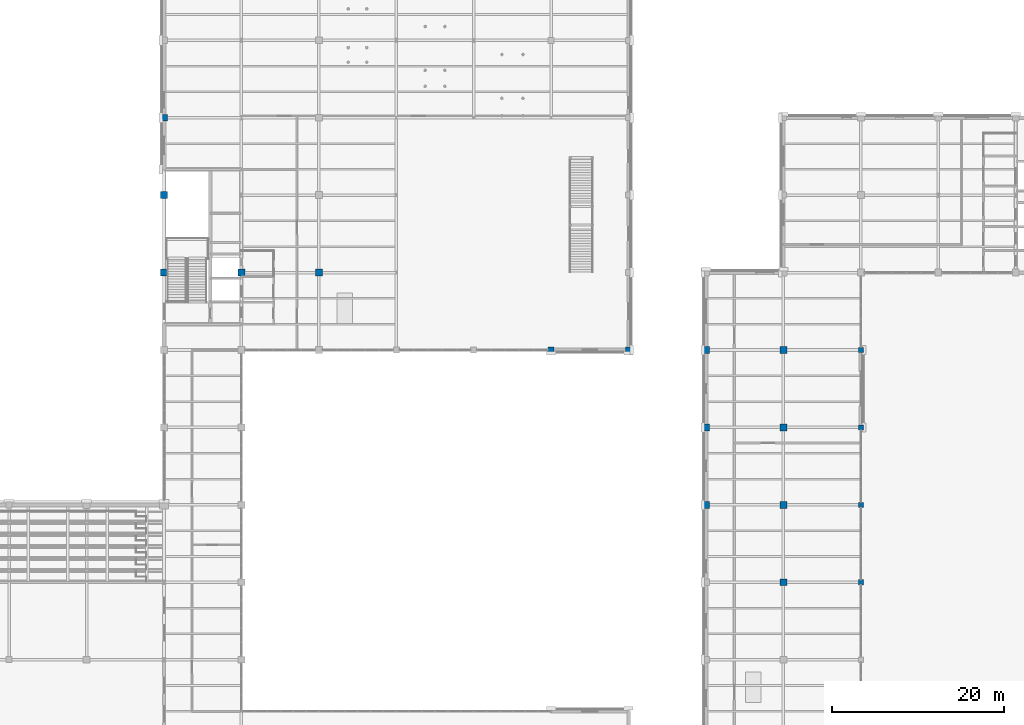
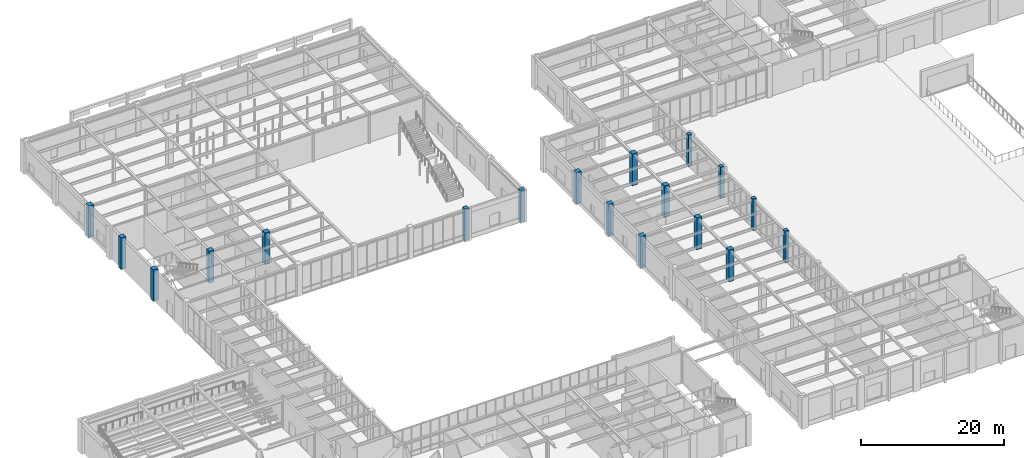
# One storey, part 6 of 77: 18 columns.
"""IFC4 building model written with IfcOpenShell, lengths in metres."""

from ifc_helpers import new_model, si_unit, direction, frame, origin, origin_2d, place, context, subcontext, project, spatial, rectangle, extrude, material, material_profile, profile_set, type_object, element, save


model = new_model("IFC4")

# Units and contexts
model_context = context("Model", 3, precision=1e-05, world=origin(), true_north=direction((0.0, 1.0)))
body_context = subcontext(model_context, "Body", "Model", "MODEL_VIEW")
ifc_project = project(units=[si_unit("LENGTHUNIT", "METRE"), si_unit("AREAUNIT", "SQUARE_METRE"), si_unit("VOLUMEUNIT", "CUBIC_METRE"), si_unit("PLANEANGLEUNIT", "RADIAN"), si_unit("MASSUNIT", "GRAM", prefix="KILO")], contexts=[model_context])

# Site, building, storey
site_placement = place(None, origin())
site = spatial("IfcSite", under=ifc_project, at=site_placement, CompositionType="ELEMENT")
building_placement = place(site_placement, origin())
building = spatial("IfcBuilding", under=site, at=building_placement, Name="Lykobir Media Centre", CompositionType="ELEMENT")
storey_placement = place(building_placement, origin())
storey = spatial("IfcBuildingStorey", under=building, at=storey_placement, Name="L00", CompositionType="ELEMENT", Elevation=0.0)

# Columns
ifc_material = material(Name="Concrete C40/50", Category="concrete")
ifc_material_profile_1 = material_profile(ifc_material, rectangle(XDim=0.60009765625, YDim=0.60009765625, at=origin_2d()), Name="RC 600x600")
ifc_profile_set_1 = profile_set([ifc_material_profile_1], Name="Concrete C40/50")
column_type_1 = type_object("IfcColumnType", Name="RC-C600", PredefinedType="COLUMN", material=ifc_profile_set_1)
for number, where, z_axis, x_axis, name in (
    (1, (108.0, 36.0, 0.0), (0.0, 0.0, 1.0), (1.0, 0.0, 0.0), "Column COL-L00-1080-0360"),
    (2, (108.0, 45.0, 0.0), (0.0, 0.0, 1.0), (1.0, 0.0, 0.0), "Column COL-L00-1080-0450"),
    (3, (108.0, 54.0, 0.0), (0.0, 0.0, 1.0), (1.0, 0.0, 0.0), "Column COL-L00-1080-0540"),
    (4, (108.0, 63.0, 0.0), (0.0, 0.0, 1.0), (1.0, 0.0, 0.0), "Column COL-L00-1080-0630"),
):
    element("IfcColumn", number, at=place(storey_placement, frame(where, z_axis=z_axis, x_axis=x_axis)), inside=storey, type_object=column_type_1, Name=name, PredefinedType="COLUMN", context=body_context, shape_type="SweptSolid", body=[
        extrude(rectangle(XDim=0.60009765625, YDim=0.60009765625, at=origin_2d()), origin(), (0.0, 0.0, 1.0), 5.39990234375),
    ])
ifc_material_profile_2 = material_profile(ifc_material, rectangle(XDim=0.699951171875, YDim=0.699951171875, at=origin_2d()), Name="RC 700x700")
ifc_profile_set_2 = profile_set([ifc_material_profile_2], Name="Concrete C40/50")
column_type_2 = type_object("IfcColumnType", Name="RC-C700", PredefinedType="COLUMN", material=ifc_profile_set_2)
column_1_placement = place(storey_placement, frame((72.0, 63.0, 0.0), z_axis=(0.0, 0.0, 1.0), x_axis=(1.0, 0.0, 0.0)))
element("IfcColumn", 5, at=column_1_placement, inside=storey, type_object=column_type_2, Name="Column COL-L00-0720-0630", PredefinedType="COLUMN", context=body_context, shape_type="SweptSolid", body=[
    extrude(rectangle(XDim=0.699951171875, YDim=0.699951171875, at=origin_2d()), origin(), (0.0, 0.0, 1.0), 5.39990234375),
])
ifc_material_profile_3 = material_profile(ifc_material, rectangle(XDim=0.699951171875, YDim=0.699951171875, at=origin_2d()), Name="RC 700x700")
ifc_profile_set_3 = profile_set([ifc_material_profile_3], Name="Concrete C40/50")
column_type_3 = type_object("IfcColumnType", Name="RC-C700-E", PredefinedType="COLUMN", material=ifc_profile_set_3)
column_2_placement = place(storey_placement, frame((81.0, 63.0, 0.0), z_axis=(0.0, 0.0, 1.0), x_axis=(1.0, 0.0, 0.0)))
element("IfcColumn", 6, at=column_2_placement, inside=storey, type_object=column_type_3, Name="Column COL-L00-0810-0630", PredefinedType="COLUMN", context=body_context, shape_type="SweptSolid", body=[
    extrude(rectangle(XDim=0.699951171875, YDim=0.699951171875, at=origin_2d()), origin(), (0.0, 0.0, 1.0), 5.39990234375),
])
ifc_material_profile_4 = material_profile(ifc_material, rectangle(XDim=0.800048828125, YDim=0.800048828125, at=origin_2d()), Name="RC 800x800")
ifc_profile_set_4 = profile_set([ifc_material_profile_4], Name="Concrete C40/50")
column_type_4 = type_object("IfcColumnType", Name="RC-C800", PredefinedType="COLUMN", material=ifc_profile_set_4)
for number, where, z_axis, x_axis, name in (
    (7, (27.0, 72.0, 0.0), (0.0, 0.0, 1.0), (1.0, 0.0, 0.0), "Column COL-L00-0270-0720"),
    (8, (27.0, 81.0, 0.0), (0.0, 0.0, 1.0), (1.0, 0.0, 0.0), "Column COL-L00-0270-0810"),
    (9, (27.0, 90.0, 0.0), (0.0, 0.0, 1.0), (1.0, 0.0, 0.0), "Column COL-L00-0270-0900"),
    (10, (36.0, 72.0, 0.0), (0.0, 0.0, 1.0), (1.0, 0.0, 0.0), "Column COL-L00-0360-0720"),
    (11, (45.0, 72.0, 0.0), (0.0, 0.0, 1.0), (1.0, 0.0, 0.0), "Column COL-L00-0450-0720"),
    (12, (99.0, 36.0, 0.0), (0.0, 0.0, 1.0), (1.0, 0.0, 0.0), "Column COL-L00-0990-0360"),
    (13, (99.0, 45.0, 0.0), (0.0, 0.0, 1.0), (1.0, 0.0, 0.0), "Column COL-L00-0990-0450"),
    (14, (99.0, 54.0, 0.0), (0.0, 0.0, 1.0), (1.0, 0.0, 0.0), "Column COL-L00-0990-0540"),
    (15, (99.0, 63.0, 0.0), (0.0, 0.0, 1.0), (1.0, 0.0, 0.0), "Column COL-L00-0990-0630"),
):
    element("IfcColumn", number, at=place(storey_placement, frame(where, z_axis=z_axis, x_axis=x_axis)), inside=storey, type_object=column_type_4, Name=name, PredefinedType="COLUMN", context=body_context, shape_type="SweptSolid", body=[
        extrude(rectangle(XDim=0.800048828125, YDim=0.800048828125, at=origin_2d()), origin(), (0.0, 0.0, 1.0), 5.39990234375),
    ])
ifc_material_profile_5 = material_profile(ifc_material, rectangle(XDim=0.800048828125, YDim=0.800048828125, at=origin_2d()), Name="RC 800x800")
ifc_profile_set_5 = profile_set([ifc_material_profile_5], Name="Concrete C40/50")
column_type_5 = type_object("IfcColumnType", Name="RC-C800-E", PredefinedType="COLUMN", material=ifc_profile_set_5)
for number, where, z_axis, x_axis, name in (
    (16, (90.0, 45.0, 0.0), (0.0, 0.0, 1.0), (1.0, 0.0, 0.0), "Column COL-L00-0900-0450"),
    (17, (90.0, 54.0, 0.0), (0.0, 0.0, 1.0), (1.0, 0.0, 0.0), "Column COL-L00-0900-0540"),
    (18, (90.0, 63.0, 0.0), (0.0, 0.0, 1.0), (1.0, 0.0, 0.0), "Column COL-L00-0900-0630"),
):
    element("IfcColumn", number, at=place(storey_placement, frame(where, z_axis=z_axis, x_axis=x_axis)), inside=storey, type_object=column_type_5, Name=name, PredefinedType="COLUMN", context=body_context, shape_type="SweptSolid", body=[
        extrude(rectangle(XDim=0.800048828125, YDim=0.800048828125, at=origin_2d()), origin(), (0.0, 0.0, 1.0), 5.39990234375),
    ])

save(model, "model.ifc")
